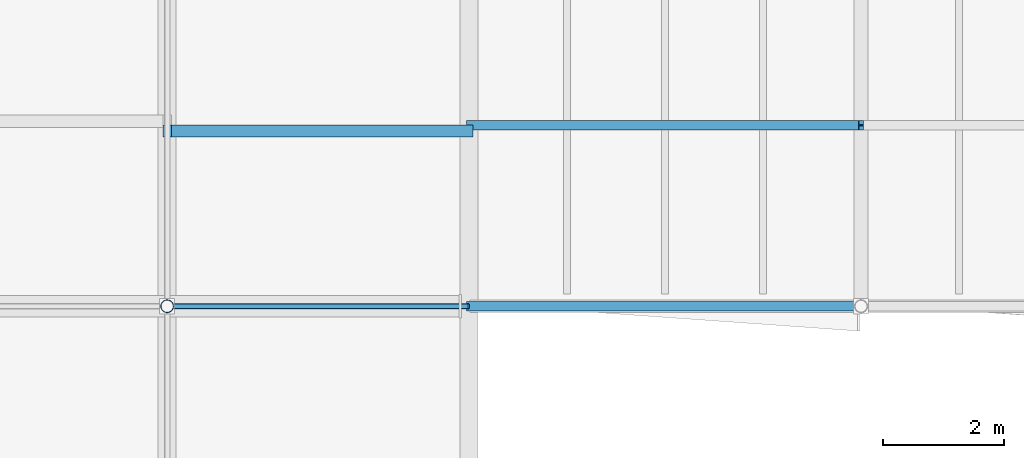
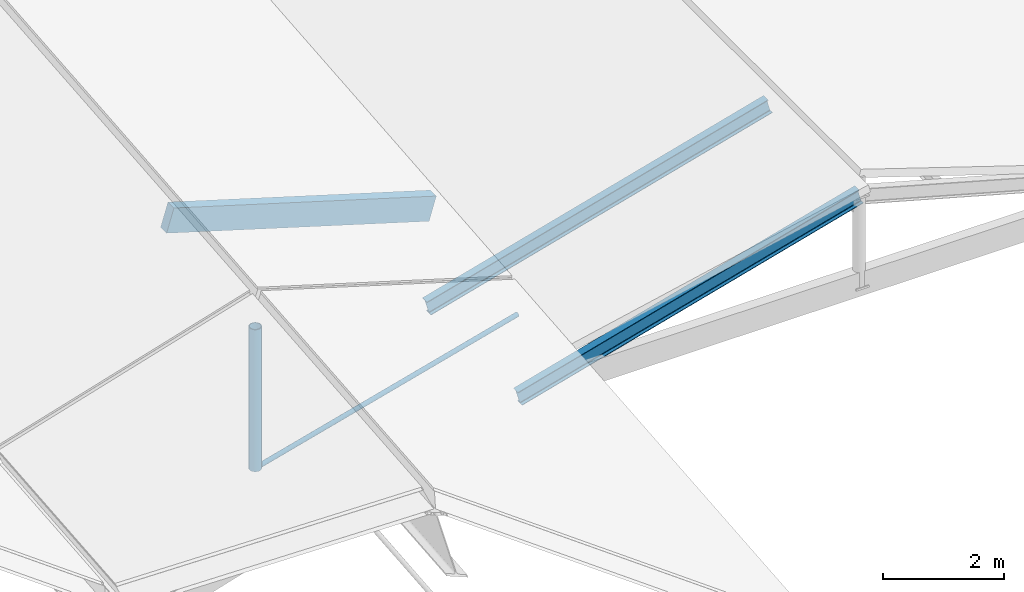
# One storey, part 44 of 90: 5 members.
"""IFC4 building model written with IfcOpenShell, lengths in metres."""

from ifc_helpers import new_model, si_unit, direction, frame, origin, origin_2d, place, context, subcontext, project, spatial, rectangle, circle, hollow_circle, i_section, extrude, material, material_profile, profile_set, type_object, element, save


model = new_model("IFC4")

# Units and contexts
model_context = context("Model", 3, precision=1e-05, world=origin(), true_north=direction((0.0, 1.0)))
body_context = subcontext(model_context, "Body", "Model", "MODEL_VIEW")
ifc_project = project(units=[si_unit("LENGTHUNIT", "METRE"), si_unit("AREAUNIT", "SQUARE_METRE"), si_unit("VOLUMEUNIT", "CUBIC_METRE"), si_unit("PLANEANGLEUNIT", "RADIAN"), si_unit("MASSUNIT", "GRAM", prefix="KILO"), si_unit("THERMODYNAMICTEMPERATUREUNIT", "KELVIN"), si_unit("POWERUNIT", "WATT")], contexts=[model_context])

# Site, building, storey
site_placement = place(None, origin())
site = spatial("IfcSite", under=ifc_project, at=site_placement, CompositionType="ELEMENT")
building_placement = place(site_placement, origin())
building = spatial("IfcBuilding", under=site, at=building_placement, Name="Korenveer Ferry Terminal", CompositionType="ELEMENT")
storey_placement = place(building_placement, frame((0.0, 0.0, 22.199951171875)))
storey = spatial("IfcBuildingStorey", under=building, at=storey_placement, Name="RF", CompositionType="ELEMENT", Elevation=22.199951171875)

# Members
ifc_material_1 = material(Name="High-strength steel S460", Category="steel")
ifc_material_profile_1 = material_profile(ifc_material_1, circle(Radius=0.044921875, at=origin_2d()), Name="ROD D90")
ifc_profile_set_1 = profile_set([ifc_material_profile_1], Name="High-strength steel S460")
member_type_1 = type_object("IfcMemberType", Name="STR-CBL-D90", PredefinedType="USERDEFINED", material=ifc_profile_set_1)
member_1_placement = place(storey_placement, frame((123.0, 80.0, -5.95361328125), z_axis=(-0.965424337217, 0.0, -0.260683426993), x_axis=(0.0, -1.0, 0.0)))
element("IfcMember", 1, at=member_1_placement, inside=storey, type_object=member_type_1, Name="Roof tension tie cable 70", ObjectType="CABLE", PredefinedType="USERDEFINED", context=body_context, shape_type="SweptSolid", body=[
    extrude(circle(Radius=0.044921875, at=origin_2d()), origin(), (0.0, 0.0, 1.0), 5.178955078125),
])
ifc_material_2 = material(Name="Glulam GL28h", Category="wood")
ifc_material_profile_2 = material_profile(ifc_material_2, rectangle(XDim=0.199951171875, YDim=0.47998046875, at=origin_2d()), Name="GL 200x480")
ifc_profile_set_2 = profile_set([ifc_material_profile_2], Name="Glulam GL28h")
member_type_2 = type_object("IfcMemberType", Name="STR-PUR-GL200", PredefinedType="PURLIN", material=ifc_profile_set_2)
member_2_placement = place(storey_placement, frame((118.0, 82.902587890625, -4.02197265625), z_axis=(0.957310140112, 0.0, -0.289062788401), x_axis=(0.0, 1.0, 0.0)))
element("IfcMember", 2, at=member_2_placement, inside=storey, type_object=member_type_2, Name="Folded roof glulam purlin 247", PredefinedType="PURLIN", context=body_context, shape_type="SweptSolid", body=[
    extrude(rectangle(XDim=0.199951171875, YDim=0.47998046875, at=origin_2d()), origin(), (0.0, 0.0, 1.0), 5.222900390625),
])
ifc_material_3 = material(Name="Steel S355", Category="steel")
ifc_material_profile_3 = material_profile(ifc_material_3, i_section(OverallWidth=0.14990234375, OverallDepth=0.300048828125, WebThickness=0.007080078125, FlangeThickness=0.0107421875, FilletRadius=0.014892578125, at=origin_2d()), Name="IPE 300")
ifc_profile_set_3 = profile_set([ifc_material_profile_3], Name="Steel S355")
member_type_3 = type_object("IfcMemberType", Name="STR-RAF-IPE300", PredefinedType="RAFTER", material=ifc_profile_set_3)
for number, where, z_axis, x_axis, name in (
    (3, (123.0, 80.0, -7.619873046875), (0.963737469599, 0.0, 0.26685218697), (0.0, 1.0, 0.0), "Pitched roof rafter 155"),
    (4, (123.0, 83.0, -7.619873046875), (0.963737469599, 0.0, 0.26685218697), (0.0, 1.0, 0.0), "Pitched roof rafter 157"),
):
    element("IfcMember", number, at=place(storey_placement, frame(where, z_axis=z_axis, x_axis=x_axis)), inside=storey, type_object=member_type_3, Name=name, PredefinedType="RAFTER", context=body_context, shape_type="SweptSolid", body=[
        extrude(i_section(OverallWidth=0.14990234375, OverallDepth=0.300048828125, WebThickness=0.007080078125, FlangeThickness=0.0107421875, FilletRadius=0.014892578125, at=origin_2d()), origin(), (0.0, 0.0, 1.0), 6.74462890625),
    ])
ifc_material_profile_4 = material_profile(ifc_material_3, hollow_circle(Radius=0.109619140625, WallThickness=0.012451171875, at=origin_2d()), Name="CHS 219.1x12.5")
ifc_profile_set_4 = profile_set([ifc_material_profile_4], Name="Steel S355")
member_type_4 = type_object("IfcMemberType", Name="STR-STT-CHS219", PredefinedType="STRUT", material=ifc_profile_set_4)
member_3_placement = place(storey_placement, frame((118.0, 80.0, -7.3037109375), z_axis=(0.0, 0.0, 1.0), x_axis=(1.0, 0.0, 0.0)))
element("IfcMember", 5, at=member_3_placement, inside=storey, type_object=member_type_4, Name="Roof king-post strut STTKP-Y80-B6", PredefinedType="STRUT", context=body_context, shape_type="SweptSolid", body=[
    extrude(hollow_circle(Radius=0.109619140625, WallThickness=0.012451171875, at=origin_2d()), origin(), (0.0, 0.0, 1.0), 2.85986328125),
])

save(model, "model.ifc")
